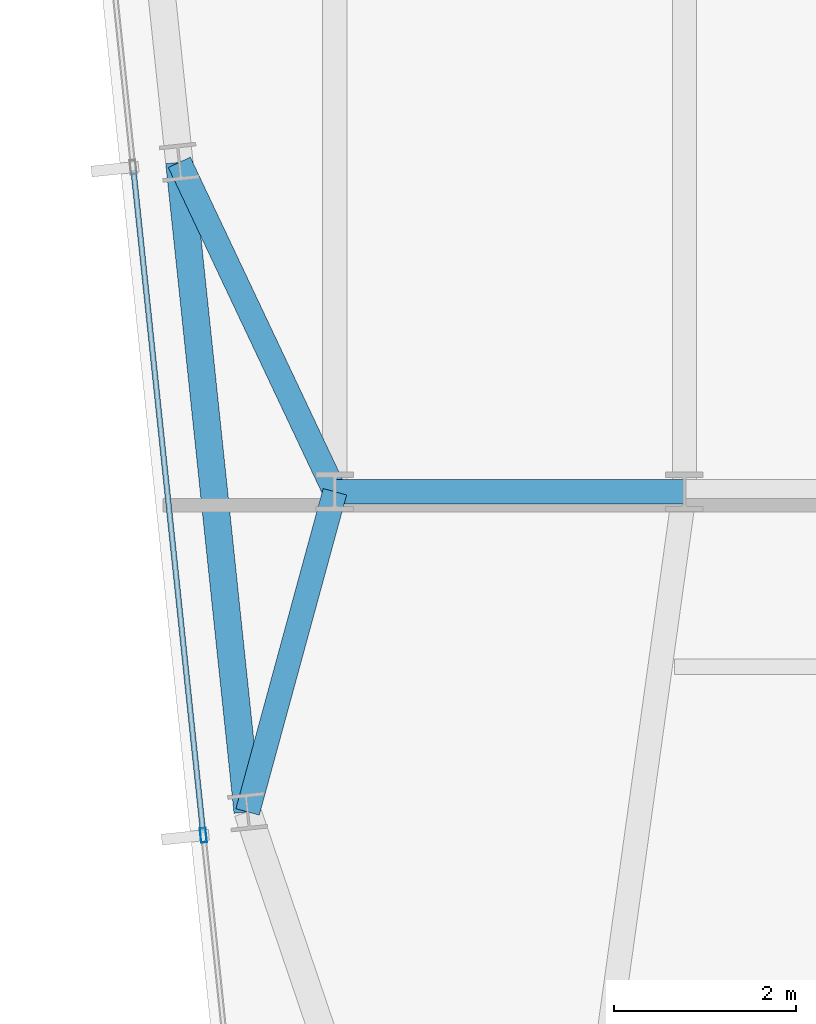
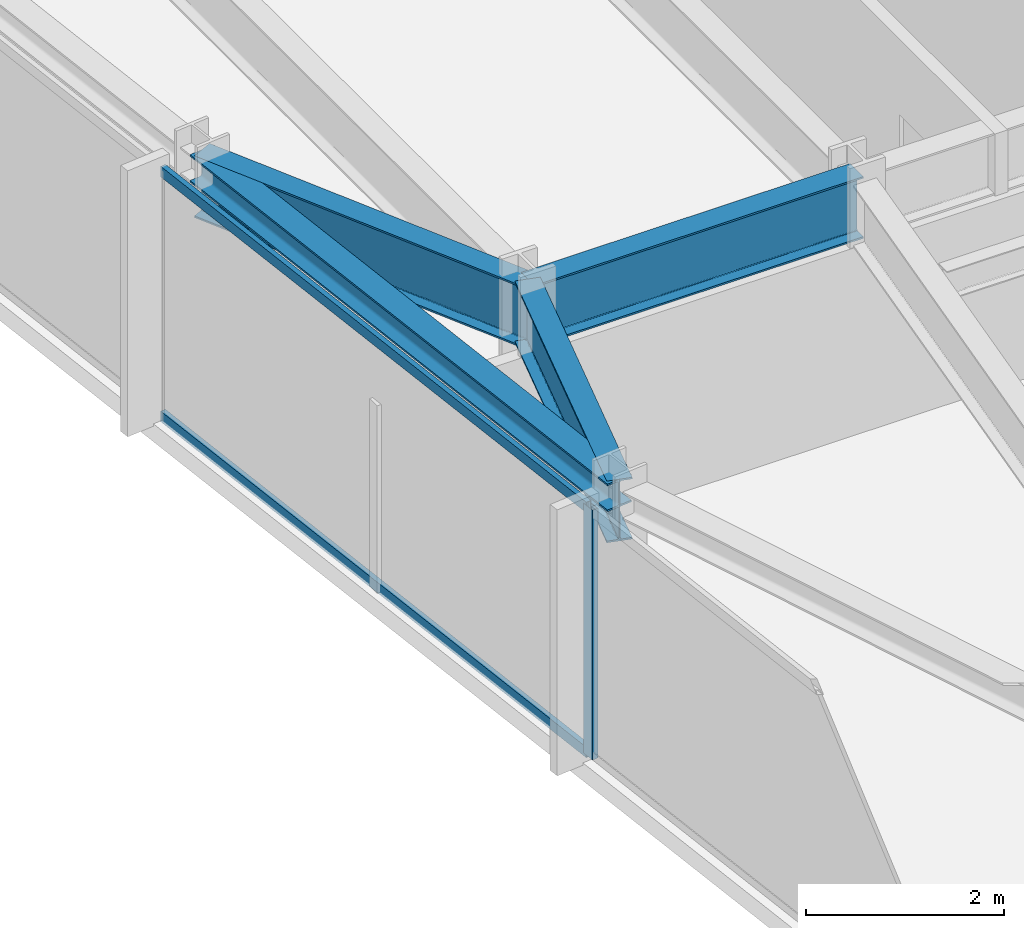
# One storey, part 5 of 33: 4 beams, 3 members, 1 element without a shape of its own.
"""IFC4 building model written with IfcOpenShell, lengths in metres."""

from ifc_helpers import new_model, si_unit, direction, frame, origin, origin_2d, place, context, subcontext, project, spatial, hollow_rectangle, i_section, extrude, material, material_profile, profile_set, type_object, element, aggregate, save


model = new_model("IFC4")

# Units and contexts
model_context = context("Model", 3, precision=1e-05, world=origin(), true_north=direction((0.0, 1.0)))
body_context = subcontext(model_context, "Body", "Model", "MODEL_VIEW")
ifc_project = project(units=[si_unit("LENGTHUNIT", "METRE"), si_unit("AREAUNIT", "SQUARE_METRE"), si_unit("VOLUMEUNIT", "CUBIC_METRE"), si_unit("PLANEANGLEUNIT", "RADIAN"), si_unit("MASSUNIT", "GRAM", prefix="KILO")], contexts=[model_context])

# Site, building, storey
site_placement = place(None, origin())
site = spatial("IfcSite", under=ifc_project, at=site_placement, CompositionType="ELEMENT")
building_placement = place(site_placement, origin())
building = spatial("IfcBuilding", under=site, at=building_placement, Name="Yelkora Congress Tower", CompositionType="ELEMENT")
storey_placement = place(building_placement, frame((0.0, 0.0, 237.5)))
storey = spatial("IfcBuildingStorey", under=building, at=storey_placement, Name="L66", CompositionType="ELEMENT", Elevation=237.5)

# Beams
ifc_material_1 = material(Name="Steel S355J2", Category="steel")
ifc_material_profile_1 = material_profile(ifc_material_1, i_section(OverallWidth=0.26708984375, OverallDepth=0.761962890625, WebThickness=0.014404296875, FlangeThickness=0.021484375, FilletRadius=0.01708984375, at=origin_2d()), Name="IPE 750x173")
ifc_profile_set_1 = profile_set([ifc_material_profile_1], Name="Steel S355J2")
beam_type_1 = type_object("IfcBeamType", Name="BM-GIRD-IPE750", PredefinedType="BEAM", material=ifc_profile_set_1)
beam_1_placement = place(storey_placement, frame((19.199951171875, 25.199951171875, 2.698974609375), z_axis=(1.0, 0.0, 0.0), x_axis=(0.0, 1.0, 0.0)))
element("IfcBeam", 1, at=beam_1_placement, inside=storey, type_object=beam_type_1, Name="L66 Spine Grid D Girder 1", PredefinedType="BEAM", context=body_context, shape_type="SweptSolid", body=[
    extrude(i_section(OverallWidth=0.26708984375, OverallDepth=0.761962890625, WebThickness=0.014404296875, FlangeThickness=0.021484375, FilletRadius=0.01708984375, at=origin_2d()), origin(), (0.0, 0.0, 1.0), 3.840087890625),
])
beam_2_placement = place(storey_placement, frame((18.2412109375, 21.68310546875, 2.698974609375), z_axis=(0.263015394472, 0.964791636713, 0.0), x_axis=(-0.964791636713, 0.263015394472, 0.0)))
element("IfcBeam", 2, at=beam_2_placement, inside=storey, type_object=beam_type_1, Name="L66 Primary Frame Girder W01", PredefinedType="BEAM", context=body_context, shape_type="SweptSolid", body=[
    extrude(i_section(OverallWidth=0.26708984375, OverallDepth=0.761962890625, WebThickness=0.014404296875, FlangeThickness=0.021484375, FilletRadius=0.01708984375, at=origin_2d()), origin(), (0.0, 0.0, 1.0), 3.645263671875),
])
beam_3_placement = place(storey_placement, frame((17.4912109375, 28.81884765625, 2.698974609375), z_axis=(0.426968894221, -0.904266312193, 0.0), x_axis=(0.904266312193, 0.426968894221, 0.0)))
element("IfcBeam", 3, at=beam_3_placement, inside=storey, type_object=beam_type_1, Name="L66 Primary Frame Girder W02", PredefinedType="BEAM", context=body_context, shape_type="SweptSolid", body=[
    extrude(i_section(OverallWidth=0.26708984375, OverallDepth=0.761962890625, WebThickness=0.014404296875, FlangeThickness=0.021484375, FilletRadius=0.01708984375, at=origin_2d()), origin(), (0.0, 0.0, 1.0), 4.001953125),
])
ifc_material_profile_2 = material_profile(ifc_material_1, i_section(OverallWidth=0.300048828125, OverallDepth=0.340087890625, WebThickness=0.011962890625, FlangeThickness=0.021484375, FilletRadius=0.027099609375, at=origin_2d()), Name="HEB 340")
ifc_profile_set_2 = profile_set([ifc_material_profile_2], Name="Steel S355J2")
beam_type_2 = type_object("IfcBeamType", Name="BM-SPAN-HEB340", PredefinedType="SPANDREL", material=ifc_profile_set_2)
beam_4_placement = place(storey_placement, frame((17.4912109375, 28.81884765625, 2.909912109375), z_axis=(0.104528914631, -0.994521847928, 0.0), x_axis=(0.994521847928, 0.104528914631, 0.0)))
element("IfcBeam", 4, at=beam_4_placement, inside=storey, type_object=beam_type_2, Name="L66 Perimeter Beam 1", PredefinedType="SPANDREL", context=body_context, shape_type="SweptSolid", body=[
    extrude(i_section(OverallWidth=0.300048828125, OverallDepth=0.340087890625, WebThickness=0.011962890625, FlangeThickness=0.021484375, FilletRadius=0.027099609375, at=origin_2d()), origin(), (0.0, 0.0, 1.0), 7.175048828125),
])

# Curtain wall, members
ifc_material_2 = material(Name="Anodised aluminium and insulated glass", Category="aluminium")
curtain_wall_type = type_object("IfcCurtainWallType", Name="CW-SYS-B4", PredefinedType="NOTDEFINED", material=ifc_material_2)
curtain_wall_placement = place(storey_placement, origin())
curtain_wall = element("IfcCurtainWall", 5, at=curtain_wall_placement, inside=storey, type_object=curtain_wall_type, Name="L66 Unitised Curtain Wall 5", PredefinedType="NOTDEFINED")
ifc_material_3 = material(Name="Anodised aluminium 6063-T6", Category="aluminium")
ifc_material_profile_3 = material_profile(ifc_material_3, hollow_rectangle(XDim=0.06494140625, YDim=0.159912109375, WallThickness=0.00390625, at=origin_2d()), Name="ALU 65x160x4")
ifc_profile_set_3 = profile_set([ifc_material_profile_3], Name="Anodised aluminium 6063-T6")
member_type_1 = type_object("IfcMemberType", Name="MEM-ML-B4", PredefinedType="MULLION", material=ifc_profile_set_3)
member_1_placement = place(storey_placement, frame((17.75537109375, 21.426025390625, 0.0), z_axis=(0.0, 0.0, 1.0), x_axis=(-0.994522145958, -0.104526079034, 0.0)))
member_1 = element("IfcMember", 6, at=member_1_placement, type_object=member_type_1, Name="CW-B4 mullion 2", PredefinedType="MULLION", context=body_context, shape_type="SweptSolid", body=[
    extrude(hollow_rectangle(XDim=0.06494140625, YDim=0.159912109375, WallThickness=0.00390625, at=origin_2d()), origin(), (0.0, 0.0, 1.0), 3.080078125),
])
ifc_material_profile_4 = material_profile(ifc_material_3, hollow_rectangle(XDim=0.06005859375, YDim=0.1298828125, WallThickness=0.00390625, at=origin_2d()), Name="ALU 60x130x4")
ifc_profile_set_4 = profile_set([ifc_material_profile_4], Name="Anodised aluminium 6063-T6")
member_type_2 = type_object("IfcMemberType", Name="MEM-TR-B4", PredefinedType="USERDEFINED", material=ifc_profile_set_4)
member_2_placement = place(storey_placement, frame((17.751953125, 21.458251953125, 0.030029296875), z_axis=(-0.104528426736, 0.994521899208, 0.0), x_axis=(-0.994521899208, -0.104528426736, 0.0)))
member_2 = element("IfcMember", 7, at=member_2_placement, type_object=member_type_2, Name="CW-B4 transom 2.1", ObjectType="TRANSOM", PredefinedType="USERDEFINED", context=body_context, shape_type="SweptSolid", body=[
    extrude(hollow_rectangle(XDim=0.06005859375, YDim=0.1298828125, WallThickness=0.00390625, at=origin_2d()), origin(), (0.0, 0.0, 1.0), 7.315185546875),
])
member_3_placement = place(storey_placement, frame((17.751953125, 21.458251953125, 3.050048828125), z_axis=(-0.104528426736, 0.994521899208, 0.0), x_axis=(-0.994521899208, -0.104528426736, 0.0)))
member_3 = element("IfcMember", 8, at=member_3_placement, type_object=member_type_2, Name="CW-B4 transom 2.2", ObjectType="TRANSOM", PredefinedType="USERDEFINED", context=body_context, shape_type="SweptSolid", body=[
    extrude(hollow_rectangle(XDim=0.06005859375, YDim=0.1298828125, WallThickness=0.00390625, at=origin_2d()), origin(), (0.0, 0.0, 1.0), 7.315185546875),
])
aggregate(curtain_wall, [member_1, member_2, member_3])

save(model, "model.ifc")
